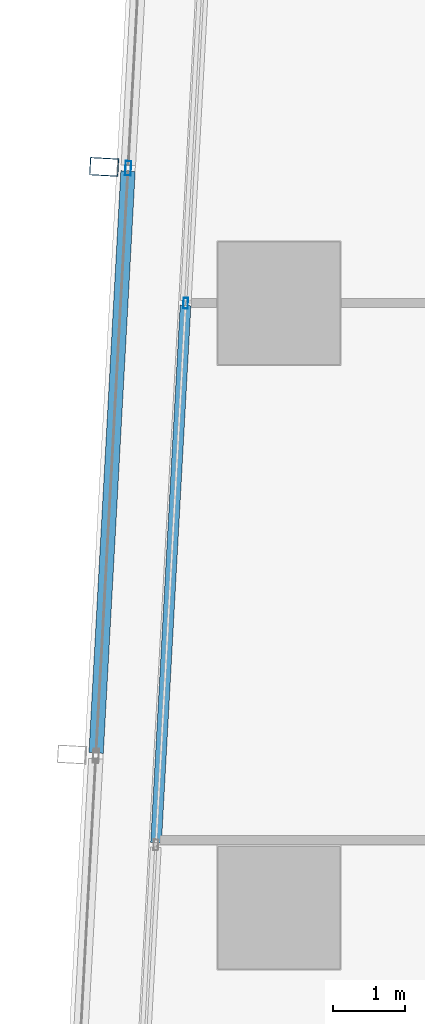
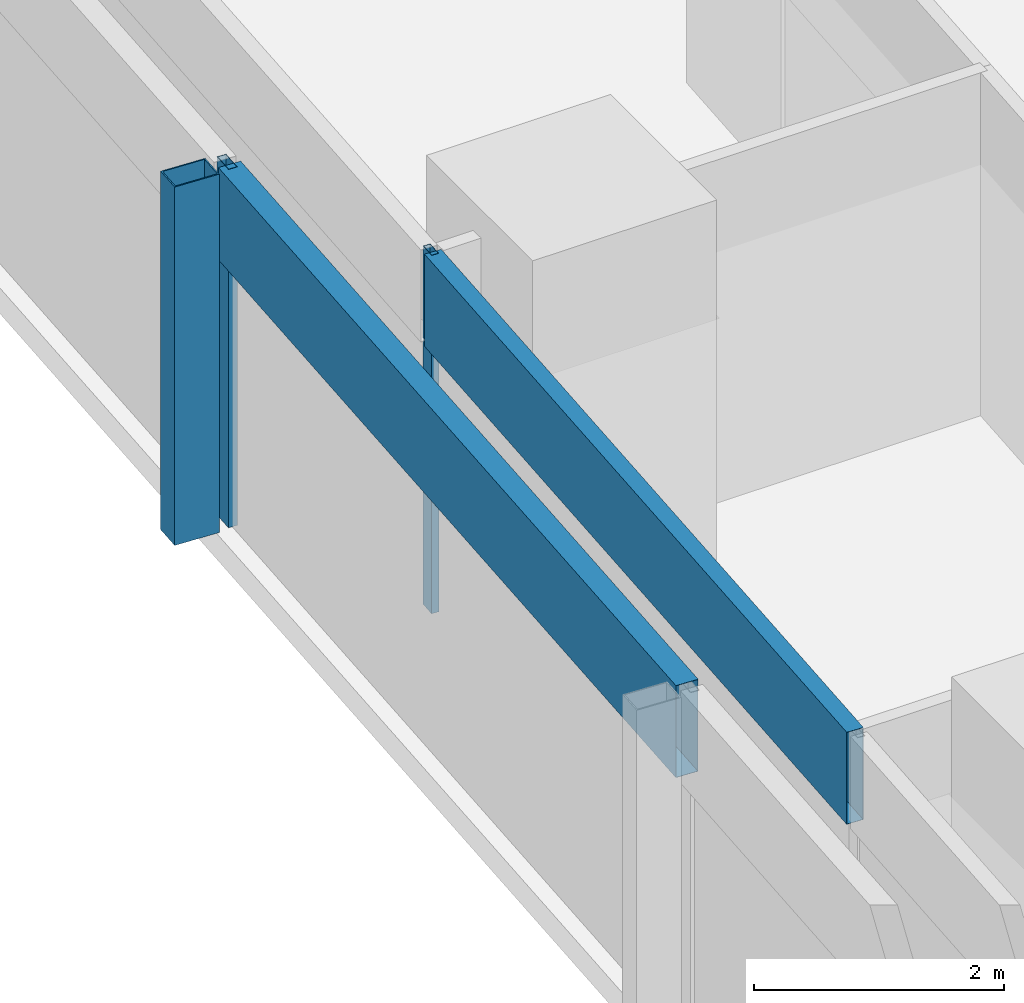
# One storey, part 14 of 40: 5 members, 2 elements without a shape of their own.
"""IFC4 building model written with IfcOpenShell, lengths in metres."""

from ifc_helpers import new_model, si_unit, direction, frame, origin, origin_2d, place, context, subcontext, project, spatial, hollow_rectangle, extrude, material, material_profile, profile_set, type_object, element, aggregate, save


model = new_model("IFC4")

# Units and contexts
model_context = context("Model", 3, precision=1e-05, world=origin(), true_north=direction((0.0, 1.0)))
body_context = subcontext(model_context, "Body", "Model", "MODEL_VIEW")
ifc_project = project(units=[si_unit("LENGTHUNIT", "METRE"), si_unit("AREAUNIT", "SQUARE_METRE"), si_unit("VOLUMEUNIT", "CUBIC_METRE"), si_unit("PLANEANGLEUNIT", "RADIAN"), si_unit("MASSUNIT", "GRAM", prefix="KILO")], contexts=[model_context])

# Site, building, storey
site_placement = place(None, origin())
site = spatial("IfcSite", under=ifc_project, at=site_placement, CompositionType="ELEMENT")
building_placement = place(site_placement, origin())
building = spatial("IfcBuilding", under=site, at=building_placement, Name="Rekha Terrace Tower", CompositionType="ELEMENT")
storey_placement = place(building_placement, frame((0.0, 0.0, 136.550048828125)))
storey = spatial("IfcBuildingStorey", under=building, at=storey_placement, Name="L34", CompositionType="ELEMENT", Elevation=136.550048828125)

# Curtain wall, member
ifc_material_1 = material(Name="Aluminium framing", Category="aluminium")
curtain_wall_type_1 = type_object("IfcCurtainWallType", Name="CW2 double skin outer glazing", PredefinedType="USERDEFINED", material=ifc_material_1)
curtain_wall_1_placement = place(storey_placement, origin())
curtain_wall_1 = element("IfcCurtainWall", 1, at=curtain_wall_1_placement, inside=storey, type_object=curtain_wall_type_1, Name="CW2 double skin outer glazing", ObjectType="DOUBLE SKIN OUTER GLAZING", PredefinedType="USERDEFINED")
ifc_material_2 = material(Name="Steel S355 with fluorocarbon finish", Category="steel")
ifc_material_profile_1 = material_profile(ifc_material_2, hollow_rectangle(XDim=0.25, YDim=0.39990234375, WallThickness=0.012451171875, at=origin_2d()), Name="RHS400x250x12.5")
ifc_profile_set_1 = profile_set([ifc_material_profile_1], Name="Steel S355 with fluorocarbon finish")
member_type_1 = type_object("IfcMemberType", Name="BL1 facade blade RHS 400 x 250", PredefinedType="USERDEFINED", material=ifc_profile_set_1)
member_1_placement = place(storey_placement, frame((5.969482421875, 52.29638671875, 0.0), z_axis=(0.0, 0.0, 1.0), x_axis=(-0.054742798353, -0.998500488747, 0.0)))
member_1 = element("IfcMember", 2, at=member_1_placement, type_object=member_type_1, Name="Facade blade", ObjectType="FACADE BLADE", PredefinedType="USERDEFINED", context=body_context, shape_type="SweptSolid", body=[
    extrude(hollow_rectangle(XDim=0.25, YDim=0.39990234375, WallThickness=0.012451171875, at=origin_2d()), origin(), (0.0, 0.0, 1.0), 3.5),
])

# Curtain wall, members
curtain_wall_type_2 = type_object("IfcCurtainWallType", Name="CW1 double skin inner glazing", PredefinedType="USERDEFINED", material=ifc_material_1)
curtain_wall_2_placement = place(storey_placement, origin())
curtain_wall_2 = element("IfcCurtainWall", 3, at=curtain_wall_2_placement, inside=storey, type_object=curtain_wall_type_2, Name="CW1 double skin inner glazing", ObjectType="DOUBLE SKIN INNER GLAZING", PredefinedType="USERDEFINED")
ifc_material_3 = material(Name="Aluminium mullion section", Category="aluminium")
ifc_material_profile_2 = material_profile(ifc_material_3, hollow_rectangle(XDim=0.06494140625, YDim=0.14990234375, WallThickness=0.00390625, at=origin_2d()), Name="AL RHS 65x150")
ifc_profile_set_2 = profile_set([ifc_material_profile_2], Name="Aluminium mullion section")
member_type_2 = type_object("IfcMemberType", Name="CW1 mullion RHS 65 x 150", PredefinedType="MULLION", material=ifc_profile_set_2)
member_2_placement = place(storey_placement, frame((7.1025390625, 50.40234375, 0.0), z_axis=(0.0, 0.0, 1.0), x_axis=(0.99850051318, -0.054742352707, 0.0)))
member_2 = element("IfcMember", 4, at=member_2_placement, type_object=member_type_2, Name="CW1 mullion 2", PredefinedType="MULLION", context=body_context, shape_type="SweptSolid", body=[
    extrude(hollow_rectangle(XDim=0.06494140625, YDim=0.14990234375, WallThickness=0.00390625, at=origin_2d()), origin(), (0.0, 0.0, 1.0), 3.5),
])
ifc_material_4 = material(Name="Insulated aluminium spandrel box", Category="aluminium")
ifc_material_profile_3 = material_profile(ifc_material_4, hollow_rectangle(XDim=0.14990234375, YDim=0.89990234375, WallThickness=0.0029296875, at=origin_2d()), Name="AL SPANDREL BOX 150x900")
ifc_profile_set_3 = profile_set([ifc_material_profile_3], Name="Insulated aluminium spandrel box")
member_type_3 = type_object("IfcMemberType", Name="CW1 spandrel transom 150 x 900", PredefinedType="USERDEFINED", material=ifc_profile_set_3)
member_3_placement = place(storey_placement, frame((7.100830078125, 50.369873046875, 3.050048828125), z_axis=(-0.054764629515, -0.998499291614, 0.0), x_axis=(0.998499291614, -0.054764629515, 0.0)))
member_3 = element("IfcMember", 5, at=member_3_placement, type_object=member_type_3, Name="CW1 spandrel transom 2", ObjectType="TRANSOM", PredefinedType="USERDEFINED", context=body_context, shape_type="SweptSolid", body=[
    extrude(hollow_rectangle(XDim=0.14990234375, YDim=0.89990234375, WallThickness=0.0029296875, at=origin_2d()), origin(), (0.0, 0.0, 1.0), 7.47607421875),
])
aggregate(curtain_wall_2, [member_2, member_3])

# Member
ifc_material_profile_4 = material_profile(ifc_material_3, hollow_rectangle(XDim=0.080078125, YDim=0.199951171875, WallThickness=0.00390625, at=origin_2d()), Name="AL RHS 80x200")
ifc_profile_set_4 = profile_set([ifc_material_profile_4], Name="Aluminium mullion section")
member_type_4 = type_object("IfcMemberType", Name="CW2 mullion RHS 80 x 200", PredefinedType="MULLION", material=ifc_profile_set_4)
member_4_placement = place(storey_placement, frame((6.303955078125, 52.278076171875, 0.0), z_axis=(0.0, 0.0, 1.0), x_axis=(0.99850051318, -0.054742352707, 0.0)))
member_4 = element("IfcMember", 6, at=member_4_placement, type_object=member_type_4, Name="CW2 mullion 2", PredefinedType="MULLION", context=body_context, shape_type="SweptSolid", body=[
    extrude(hollow_rectangle(XDim=0.080078125, YDim=0.199951171875, WallThickness=0.00390625, at=origin_2d()), origin(), (0.0, 0.0, 1.0), 3.5),
])

ifc_material_profile_5 = material_profile(ifc_material_4, hollow_rectangle(XDim=0.199951171875, YDim=0.89990234375, WallThickness=0.0029296875, at=origin_2d()), Name="AL SPANDREL BOX 200x900")
ifc_profile_set_5 = profile_set([ifc_material_profile_5], Name="Insulated aluminium spandrel box")
member_type_5 = type_object("IfcMemberType", Name="CW2 spandrel transom 200 x 900", PredefinedType="USERDEFINED", material=ifc_profile_set_5)
member_5_placement = place(storey_placement, frame((6.3017578125, 52.23828125, 3.050048828125), z_axis=(-0.054735499102, -0.998500888902, 0.0), x_axis=(0.998500888902, -0.054735499102, 0.0)))
member_5 = element("IfcMember", 7, at=member_5_placement, type_object=member_type_5, Name="CW2 spandrel transom 2", ObjectType="TRANSOM", PredefinedType="USERDEFINED", context=body_context, shape_type="SweptSolid", body=[
    extrude(hollow_rectangle(XDim=0.199951171875, YDim=0.89990234375, WallThickness=0.0029296875, at=origin_2d()), origin(), (0.0, 0.0, 1.0), 8.10009765625),
])

aggregate(curtain_wall_1, [member_4, member_5, member_1])

save(model, "model.ifc")
